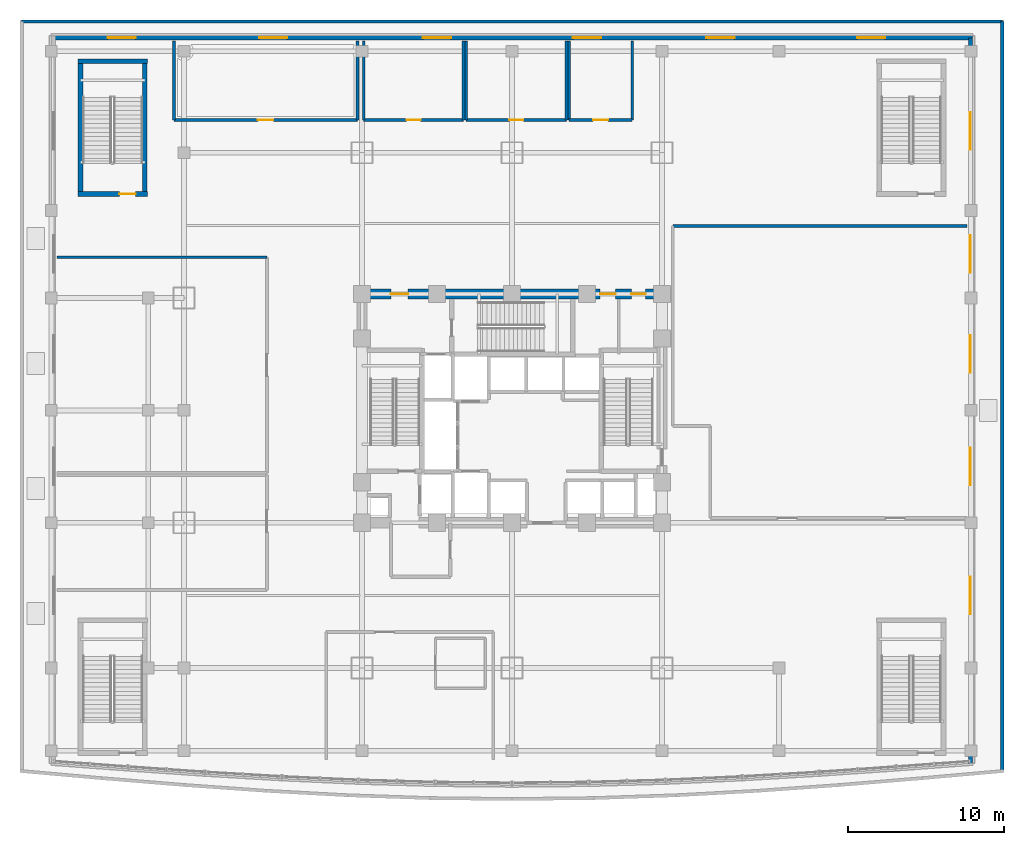
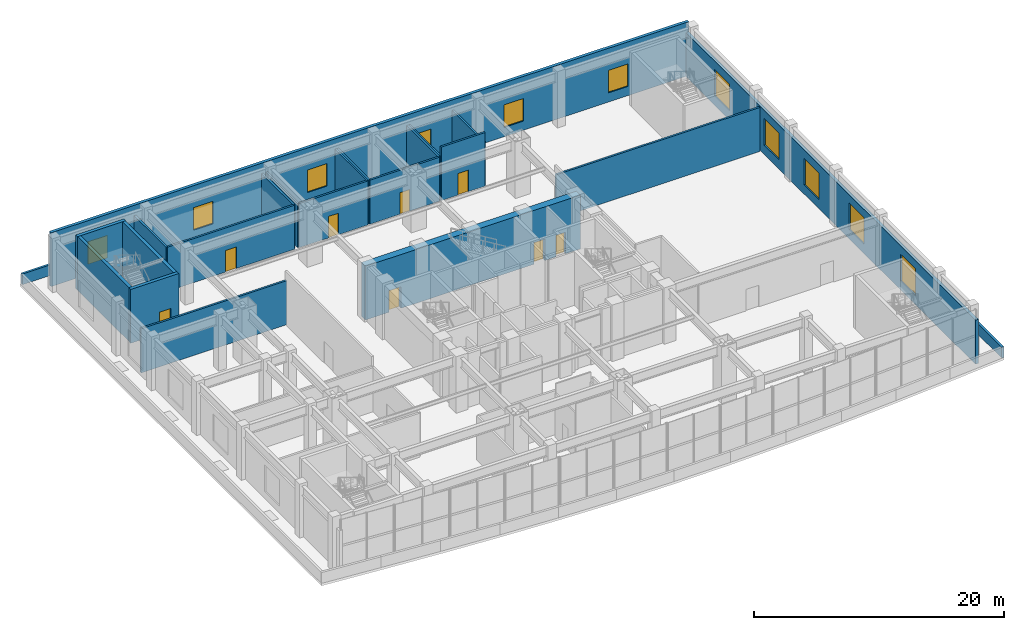
# One storey, part 14 of 24: 23 walls, 11 windows, 8 doors, 19 openings.
"""IFC4 building model written with IfcOpenShell, lengths in metres."""

from ifc_helpers import new_model, si_unit, direction, frame, frame_2d, origin, place, context, subcontext, project, spatial, rectangle, extrude, material, layer, layer_set, type_object, element, fill, save


model = new_model("IFC4")

# Units and contexts
model_context = context("Model", 3, precision=1e-05, world=origin(), true_north=direction((0.0, 1.0)))
body_context = subcontext(model_context, "Body", "Model", "MODEL_VIEW")
ifc_project = project(units=[si_unit("LENGTHUNIT", "METRE"), si_unit("AREAUNIT", "SQUARE_METRE"), si_unit("VOLUMEUNIT", "CUBIC_METRE"), si_unit("PLANEANGLEUNIT", "RADIAN"), si_unit("MASSUNIT", "GRAM", prefix="KILO")], contexts=[model_context])

# Site, building, storey
site_placement = place(None, origin())
site = spatial("IfcSite", under=ifc_project, at=site_placement, CompositionType="ELEMENT")
building_placement = place(site_placement, origin())
building = spatial("IfcBuilding", under=site, at=building_placement, Name="Vantalir Tower", CompositionType="ELEMENT")
storey_placement = place(building_placement, frame((0.0, 0.0, 16.0)))
storey = spatial("IfcBuildingStorey", under=building, at=storey_placement, Name="L03", CompositionType="ELEMENT", Elevation=16.0)

# Wall, openings, doors
ifc_material_1 = material(Name="Concrete C60/75", Category="concrete")
ifc_layer_1 = layer(ifc_material_1, 0.64990234375)
ifc_layer_set_1 = layer_set([ifc_layer_1], Name="Concrete C60/75")
wall_type_1 = type_object("IfcWallType", Name="WL-CORE-650", PredefinedType="SHEAR", material=ifc_layer_set_1)
wall_1_placement = place(storey_placement, frame((21.574951171875, 32.449951171875, 0.0), z_axis=(0.0, 0.0, 1.0), x_axis=(1.0, 0.0, 0.0)))
wall_1 = element("IfcWall", 1, at=wall_1_placement, inside=storey, type_object=wall_type_1, Name="L03 Core Shear Wall North", PredefinedType="SHEAR", context=body_context, shape_type="SweptSolid", body=[
    extrude(rectangle(XDim=19.85009765625, YDim=0.64990234375, at=frame_2d((9.925048828125, 0.0))), origin(), (0.0, 0.0, 1.0), 5.25),
])
opening_1_placement = place(wall_1_placement, frame((2.175048828125, 0.0, 0.0)))
opening_1 = element("IfcOpeningElement", 2, at=opening_1_placement, cuts=wall_1, Name="Opening D-FFL", PredefinedType="OPENING", context=body_context, shape_type="SweptSolid", body=[
    extrude(rectangle(XDim=1.10009765625, YDim=2.10009765625, at=frame_2d((0.550048828125, 1.050048828125))), frame((0.0, 0.3349609375, 0.0), z_axis=(0.0, -1.0, 0.0), x_axis=(1.0, 0.0, 0.0)), (0.0, 0.0, 1.0), 0.669921875),
])
opening_2_placement = place(wall_1_placement, frame((15.56494140625, 0.0, 0.0)))
opening_2 = element("IfcOpeningElement", 3, at=opening_2_placement, cuts=wall_1, Name="Opening D-GUEST", PredefinedType="OPENING", context=body_context, shape_type="SweptSolid", body=[
    extrude(rectangle(XDim=1.0, YDim=2.10009765625, at=frame_2d((0.5, 1.050048828125))), frame((0.0, 0.3349609375, 0.0), z_axis=(0.0, -1.0, 0.0), x_axis=(1.0, 0.0, 0.0)), (0.0, 0.0, 1.0), 0.669921875),
])
opening_3_placement = place(wall_1_placement, frame((17.574951171875, 0.0, 0.0)))
opening_3 = element("IfcOpeningElement", 4, at=opening_3_placement, cuts=wall_1, Name="Opening D-CR", PredefinedType="OPENING", context=body_context, shape_type="SweptSolid", body=[
    extrude(rectangle(XDim=0.89990234375, YDim=2.10009765625, at=frame_2d((0.449951171875, 1.050048828125))), frame((0.0, 0.3349609375, 0.0), z_axis=(0.0, -1.0, 0.0), x_axis=(1.0, 0.0, 0.0)), (0.0, 0.0, 1.0), 0.669921875),
])
ifc_material_2 = material(Name="Fire-rated steel core service door", Category="steel")
door_type_1 = type_object("IfcDoorType", Name="DR-CORE-SERV-900", OperationType="NOTDEFINED", PredefinedType="DOOR", material=ifc_material_2)
door_1_placement = place(opening_3_placement, frame((0.89990234375, 0.0, 0.0), z_axis=(0.0, 0.0, 1.0), x_axis=(-1.0, 0.0, 0.0)))
door_1 = element("IfcDoor", 5, at=door_1_placement, inside=storey, type_object=door_type_1, Name="L03 Housekeeping and Linen Room Door", OperationType="SINGLE_SWING_RIGHT", OverallHeight=2.10009765625, OverallWidth=0.89990234375, PredefinedType="DOOR", context=body_context, shape_type="SweptSolid", body=[
    extrude(rectangle(XDim=0.89990234375, YDim=2.10009765625, at=frame_2d((0.449951171875, 1.050048828125))), frame((0.0, 0.02490234375, 0.0), z_axis=(0.0, -1.0, 0.0), x_axis=(1.0, 0.0, 0.0)), (0.0, 0.0, 1.0), 0.050048828125),
])
fill(opening_3, door_1)
ifc_material_3 = material(Name="Fire-rated acoustic steel door", Category="steel")
door_type_2 = type_object("IfcDoorType", Name="DR-FIRE-LOBBY-1100", OperationType="NOTDEFINED", PredefinedType="DOOR", material=ifc_material_3)
door_2_placement = place(opening_1_placement, frame((1.10009765625, 0.0, 0.0), z_axis=(0.0, 0.0, 1.0), x_axis=(-1.0, 0.0, 0.0)))
door_2 = element("IfcDoor", 6, at=door_2_placement, inside=storey, type_object=door_type_2, Name="L03 Firefighting Lobby East Access Door", OperationType="SINGLE_SWING_LEFT", OverallHeight=2.10009765625, OverallWidth=1.10009765625, PredefinedType="DOOR", context=body_context, shape_type="SweptSolid", body=[
    extrude(rectangle(XDim=1.10009765625, YDim=2.10009765625, at=frame_2d((0.550048828125, 1.050048828125))), frame((0.0, 0.02490234375, 0.0), z_axis=(0.0, -1.0, 0.0), x_axis=(1.0, 0.0, 0.0)), (0.0, 0.0, 1.0), 0.050048828125),
])
fill(opening_1, door_2)
ifc_material_4 = material(Name="Solid-core teak veneer acoustic fire door", Category="wood")
door_type_3 = type_object("IfcDoorType", Name="DR-GUEST-ENTRY-1000", OperationType="NOTDEFINED", PredefinedType="DOOR", material=ifc_material_4)
door_3_placement = place(opening_2_placement, frame((1.0, 0.0, 0.0), z_axis=(0.0, 0.0, 1.0), x_axis=(-1.0, 0.0, 0.0)))
door_3 = element("IfcDoor", 7, at=door_3_placement, inside=storey, type_object=door_type_3, Name="L03 High-Rise Lift Lobby Door", OperationType="SINGLE_SWING_LEFT", OverallHeight=2.10009765625, OverallWidth=1.0, PredefinedType="DOOR", context=body_context, shape_type="SweptSolid", body=[
    extrude(rectangle(XDim=1.0, YDim=2.10009765625, at=frame_2d((0.5, 1.050048828125))), frame((0.0, 0.02490234375, 0.0), z_axis=(0.0, -1.0, 0.0), x_axis=(1.0, 0.0, 0.0)), (0.0, 0.0, 1.0), 0.050048828125),
])
fill(opening_2, door_3)

# Wall, openings, windows
ifc_material_5 = material(Name="Precast concrete C40/50 with insulated PVDF rainscreen", Category="concrete")
ifc_layer_2 = layer(ifc_material_5, 0.280029296875)
ifc_layer_set_2 = layer_set([ifc_layer_2], Name="Precast concrete C40/50 with insulated PVDF rainscreen")
wall_type_2 = type_object("IfcWallType", Name="WL-EXT-POD-280", PredefinedType="SOLIDWALL", material=ifc_layer_set_2)
wall_2_placement = place(storey_placement, frame((60.860107421875, 2.39990234375, 0.0), z_axis=(0.0, 0.0, 1.0), x_axis=(0.0, 1.0, 0.0)))
wall_2 = element("IfcWall", 8, at=wall_2_placement, inside=storey, type_object=wall_type_2, Name="L03 Podium East Precast Facade Wall", PredefinedType="SOLIDWALL", context=body_context, shape_type="SweptSolid", body=[
    extrude(rectangle(XDim=46.460205078125, YDim=0.280029296875, at=frame_2d((23.22998046875, 0.0))), origin(), (0.0, 0.0, 1.0), 4.304931640625),
])
opening_4_placement = place(wall_2_placement, frame((9.550048828125, 0.0, 0.89990234375)))
opening_4 = element("IfcOpeningElement", 9, at=opening_4_placement, cuts=wall_2, Name="Opening WN-1", PredefinedType="OPENING", context=body_context, shape_type="SweptSolid", body=[
    extrude(rectangle(XDim=2.39990234375, YDim=2.60009765625, at=frame_2d((1.199951171875, 1.300048828125))), frame((0.0, 0.14990234375, 0.0), z_axis=(0.0, -1.0, 0.0), x_axis=(1.0, 0.0, 0.0)), (0.0, 0.0, 1.0), 0.300048828125),
])
opening_5_placement = place(wall_2_placement, frame((17.800048828125, 0.0, 0.89990234375)))
opening_5 = element("IfcOpeningElement", 10, at=opening_5_placement, cuts=wall_2, Name="Opening WN-1", PredefinedType="OPENING", context=body_context, shape_type="SweptSolid", body=[
    extrude(rectangle(XDim=2.39990234375, YDim=2.60009765625, at=frame_2d((1.199951171875, 1.300048828125))), frame((0.0, 0.14990234375, 0.0), z_axis=(0.0, -1.0, 0.0), x_axis=(1.0, 0.0, 0.0)), (0.0, 0.0, 1.0), 0.300048828125),
])
opening_6_placement = place(wall_2_placement, frame((25.0, 0.0, 0.89990234375)))
opening_6 = element("IfcOpeningElement", 11, at=opening_6_placement, cuts=wall_2, Name="Opening WN-1", PredefinedType="OPENING", context=body_context, shape_type="SweptSolid", body=[
    extrude(rectangle(XDim=2.39990234375, YDim=2.60009765625, at=frame_2d((1.199951171875, 1.300048828125))), frame((0.0, 0.14990234375, 0.0), z_axis=(0.0, -1.0, 0.0), x_axis=(1.0, 0.0, 0.0)), (0.0, 0.0, 1.0), 0.300048828125),
])
opening_7_placement = place(wall_2_placement, frame((31.39990234375, 0.0, 0.89990234375)))
opening_7 = element("IfcOpeningElement", 12, at=opening_7_placement, cuts=wall_2, Name="Opening WN-1", PredefinedType="OPENING", context=body_context, shape_type="SweptSolid", body=[
    extrude(rectangle(XDim=2.39990234375, YDim=2.60009765625, at=frame_2d((1.199951171875, 1.300048828125))), frame((0.0, 0.14990234375, 0.0), z_axis=(0.0, -1.0, 0.0), x_axis=(1.0, 0.0, 0.0)), (0.0, 0.0, 1.0), 0.300048828125),
])
opening_8_placement = place(wall_2_placement, frame((39.300048828125, 0.0, 0.89990234375)))
opening_8 = element("IfcOpeningElement", 13, at=opening_8_placement, cuts=wall_2, Name="Opening WN-1", PredefinedType="OPENING", context=body_context, shape_type="SweptSolid", body=[
    extrude(rectangle(XDim=2.39990234375, YDim=2.60009765625, at=frame_2d((1.199951171875, 1.300048828125))), frame((0.0, 0.14990234375, 0.0), z_axis=(0.0, -1.0, 0.0), x_axis=(1.0, 0.0, 0.0)), (0.0, 0.0, 1.0), 0.300048828125),
])
ifc_material_6 = material(Name="Double-silver Low-E thermally broken window", Category="glass")
window_type_1 = type_object("IfcWindowType", Name="WIN-POD-2400x2600", PartitioningType="SINGLE_PANEL", PredefinedType="WINDOW", material=ifc_material_6)
window_1_placement = place(opening_4_placement, origin())
window_1 = element("IfcWindow", 14, at=window_1_placement, inside=storey, type_object=window_type_1, Name="L03 East Podium Window E01", OverallHeight=2.60009765625, OverallWidth=2.39990234375, PartitioningType="SINGLE_PANEL", PredefinedType="WINDOW", context=body_context, shape_type="SweptSolid", body=[
    extrude(rectangle(XDim=2.39990234375, YDim=2.60009765625, at=frame_2d((1.199951171875, 1.300048828125))), frame((0.0, 0.030029296875, 0.0), z_axis=(0.0, -1.0, 0.0), x_axis=(1.0, 0.0, 0.0)), (0.0, 0.0, 1.0), 0.06005859375),
])
fill(opening_4, window_1)
window_2_placement = place(opening_5_placement, origin())
window_2 = element("IfcWindow", 15, at=window_2_placement, inside=storey, type_object=window_type_1, Name="L03 East Podium Window E02", OverallHeight=2.60009765625, OverallWidth=2.39990234375, PartitioningType="SINGLE_PANEL", PredefinedType="WINDOW", context=body_context, shape_type="SweptSolid", body=[
    extrude(rectangle(XDim=2.39990234375, YDim=2.60009765625, at=frame_2d((1.199951171875, 1.300048828125))), frame((0.0, 0.030029296875, 0.0), z_axis=(0.0, -1.0, 0.0), x_axis=(1.0, 0.0, 0.0)), (0.0, 0.0, 1.0), 0.06005859375),
])
fill(opening_5, window_2)
window_3_placement = place(opening_6_placement, origin())
window_3 = element("IfcWindow", 16, at=window_3_placement, inside=storey, type_object=window_type_1, Name="L03 East Podium Window E03", OverallHeight=2.60009765625, OverallWidth=2.39990234375, PartitioningType="SINGLE_PANEL", PredefinedType="WINDOW", context=body_context, shape_type="SweptSolid", body=[
    extrude(rectangle(XDim=2.39990234375, YDim=2.60009765625, at=frame_2d((1.199951171875, 1.300048828125))), frame((0.0, 0.030029296875, 0.0), z_axis=(0.0, -1.0, 0.0), x_axis=(1.0, 0.0, 0.0)), (0.0, 0.0, 1.0), 0.06005859375),
])
fill(opening_6, window_3)
window_4_placement = place(opening_7_placement, origin())
window_4 = element("IfcWindow", 17, at=window_4_placement, inside=storey, type_object=window_type_1, Name="L03 East Podium Window E04", OverallHeight=2.60009765625, OverallWidth=2.39990234375, PartitioningType="SINGLE_PANEL", PredefinedType="WINDOW", context=body_context, shape_type="SweptSolid", body=[
    extrude(rectangle(XDim=2.39990234375, YDim=2.60009765625, at=frame_2d((1.199951171875, 1.300048828125))), frame((0.0, 0.030029296875, 0.0), z_axis=(0.0, -1.0, 0.0), x_axis=(1.0, 0.0, 0.0)), (0.0, 0.0, 1.0), 0.06005859375),
])
fill(opening_7, window_4)
window_5_placement = place(opening_8_placement, origin())
window_5 = element("IfcWindow", 18, at=window_5_placement, inside=storey, type_object=window_type_1, Name="L03 East Podium Window E05", OverallHeight=2.60009765625, OverallWidth=2.39990234375, PartitioningType="SINGLE_PANEL", PredefinedType="WINDOW", context=body_context, shape_type="SweptSolid", body=[
    extrude(rectangle(XDim=2.39990234375, YDim=2.60009765625, at=frame_2d((1.199951171875, 1.300048828125))), frame((0.0, 0.030029296875, 0.0), z_axis=(0.0, -1.0, 0.0), x_axis=(1.0, 0.0, 0.0)), (0.0, 0.0, 1.0), 0.06005859375),
])
fill(opening_8, window_5)

wall_3_placement = place(storey_placement, frame((61.0, 48.860107421875, 0.0), z_axis=(0.0, 0.0, 1.0), x_axis=(-1.0, 0.0, 0.0)))
wall_3 = element("IfcWall", 19, at=wall_3_placement, inside=storey, type_object=wall_type_2, Name="L03 Podium North Street Facade Wall", PredefinedType="SOLIDWALL", context=body_context, shape_type="SweptSolid", body=[
    extrude(rectangle(XDim=58.860107421875, YDim=0.280029296875, at=frame_2d((29.43017578125, 0.0))), origin(), (0.0, 0.0, 1.0), 5.25),
])
opening_9_placement = place(wall_3_placement, frame((53.60009765625, 0.0, 0.89990234375)))
opening_9 = element("IfcOpeningElement", 20, at=opening_9_placement, cuts=wall_3, Name="Opening WN-2", PredefinedType="OPENING", context=body_context, shape_type="SweptSolid", body=[
    extrude(rectangle(XDim=1.800048828125, YDim=2.199951171875, at=frame_2d((0.89990234375, 1.10009765625))), frame((0.0, 0.14990234375, 0.0), z_axis=(0.0, -1.0, 0.0), x_axis=(1.0, 0.0, 0.0)), (0.0, 0.0, 1.0), 0.300048828125),
])
opening_10_placement = place(wall_3_placement, frame((43.89990234375, 0.0, 0.89990234375)))
opening_10 = element("IfcOpeningElement", 21, at=opening_10_placement, cuts=wall_3, Name="Opening WN-2", PredefinedType="OPENING", context=body_context, shape_type="SweptSolid", body=[
    extrude(rectangle(XDim=1.800048828125, YDim=2.199951171875, at=frame_2d((0.89990234375, 1.10009765625))), frame((0.0, 0.14990234375, 0.0), z_axis=(0.0, -1.0, 0.0), x_axis=(1.0, 0.0, 0.0)), (0.0, 0.0, 1.0), 0.300048828125),
])
opening_11_placement = place(wall_3_placement, frame((33.39990234375, 0.0, 0.89990234375)))
opening_11 = element("IfcOpeningElement", 22, at=opening_11_placement, cuts=wall_3, Name="Opening WN-2", PredefinedType="OPENING", context=body_context, shape_type="SweptSolid", body=[
    extrude(rectangle(XDim=1.800048828125, YDim=2.199951171875, at=frame_2d((0.89990234375, 1.10009765625))), frame((0.0, 0.14990234375, 0.0), z_axis=(0.0, -1.0, 0.0), x_axis=(1.0, 0.0, 0.0)), (0.0, 0.0, 1.0), 0.300048828125),
])
opening_12_placement = place(wall_3_placement, frame((23.800048828125, 0.0, 0.89990234375)))
opening_12 = element("IfcOpeningElement", 23, at=opening_12_placement, cuts=wall_3, Name="Opening WN-2", PredefinedType="OPENING", context=body_context, shape_type="SweptSolid", body=[
    extrude(rectangle(XDim=1.800048828125, YDim=2.199951171875, at=frame_2d((0.89990234375, 1.10009765625))), frame((0.0, 0.14990234375, 0.0), z_axis=(0.0, -1.0, 0.0), x_axis=(1.0, 0.0, 0.0)), (0.0, 0.0, 1.0), 0.300048828125),
])
opening_13_placement = place(wall_3_placement, frame((15.25, 0.0, 0.89990234375)))
opening_13 = element("IfcOpeningElement", 24, at=opening_13_placement, cuts=wall_3, Name="Opening WN-2", PredefinedType="OPENING", context=body_context, shape_type="SweptSolid", body=[
    extrude(rectangle(XDim=1.800048828125, YDim=2.199951171875, at=frame_2d((0.89990234375, 1.10009765625))), frame((0.0, 0.14990234375, 0.0), z_axis=(0.0, -1.0, 0.0), x_axis=(1.0, 0.0, 0.0)), (0.0, 0.0, 1.0), 0.300048828125),
])
opening_14_placement = place(wall_3_placement, frame((5.60009765625, 0.0, 0.89990234375)))
opening_14 = element("IfcOpeningElement", 25, at=opening_14_placement, cuts=wall_3, Name="Opening WN-2", PredefinedType="OPENING", context=body_context, shape_type="SweptSolid", body=[
    extrude(rectangle(XDim=1.800048828125, YDim=2.199951171875, at=frame_2d((0.89990234375, 1.10009765625))), frame((0.0, 0.14990234375, 0.0), z_axis=(0.0, -1.0, 0.0), x_axis=(1.0, 0.0, 0.0)), (0.0, 0.0, 1.0), 0.300048828125),
])
window_type_2 = type_object("IfcWindowType", Name="WIN-POD-1800x2200", PartitioningType="SINGLE_PANEL", PredefinedType="WINDOW", material=ifc_material_6)
window_6_placement = place(opening_9_placement, origin())
window_6 = element("IfcWindow", 26, at=window_6_placement, inside=storey, type_object=window_type_2, Name="L03 North Podium Window N01", OverallHeight=2.199951171875, OverallWidth=1.800048828125, PartitioningType="SINGLE_PANEL", PredefinedType="WINDOW", context=body_context, shape_type="SweptSolid", body=[
    extrude(rectangle(XDim=1.800048828125, YDim=2.199951171875, at=frame_2d((0.89990234375, 1.10009765625))), frame((0.0, 0.030029296875, 0.0), z_axis=(0.0, -1.0, 0.0), x_axis=(1.0, 0.0, 0.0)), (0.0, 0.0, 1.0), 0.06005859375),
])
fill(opening_9, window_6)
window_7_placement = place(opening_10_placement, origin())
window_7 = element("IfcWindow", 27, at=window_7_placement, inside=storey, type_object=window_type_2, Name="L03 North Podium Window N02", OverallHeight=2.199951171875, OverallWidth=1.800048828125, PartitioningType="SINGLE_PANEL", PredefinedType="WINDOW", context=body_context, shape_type="SweptSolid", body=[
    extrude(rectangle(XDim=1.800048828125, YDim=2.199951171875, at=frame_2d((0.89990234375, 1.10009765625))), frame((0.0, 0.030029296875, 0.0), z_axis=(0.0, -1.0, 0.0), x_axis=(1.0, 0.0, 0.0)), (0.0, 0.0, 1.0), 0.06005859375),
])
fill(opening_10, window_7)
window_8_placement = place(opening_11_placement, origin())
window_8 = element("IfcWindow", 28, at=window_8_placement, inside=storey, type_object=window_type_2, Name="L03 North Podium Window N03", OverallHeight=2.199951171875, OverallWidth=1.800048828125, PartitioningType="SINGLE_PANEL", PredefinedType="WINDOW", context=body_context, shape_type="SweptSolid", body=[
    extrude(rectangle(XDim=1.800048828125, YDim=2.199951171875, at=frame_2d((0.89990234375, 1.10009765625))), frame((0.0, 0.030029296875, 0.0), z_axis=(0.0, -1.0, 0.0), x_axis=(1.0, 0.0, 0.0)), (0.0, 0.0, 1.0), 0.06005859375),
])
fill(opening_11, window_8)
window_9_placement = place(opening_12_placement, origin())
window_9 = element("IfcWindow", 29, at=window_9_placement, inside=storey, type_object=window_type_2, Name="L03 North Podium Window N04", OverallHeight=2.199951171875, OverallWidth=1.800048828125, PartitioningType="SINGLE_PANEL", PredefinedType="WINDOW", context=body_context, shape_type="SweptSolid", body=[
    extrude(rectangle(XDim=1.800048828125, YDim=2.199951171875, at=frame_2d((0.89990234375, 1.10009765625))), frame((0.0, 0.030029296875, 0.0), z_axis=(0.0, -1.0, 0.0), x_axis=(1.0, 0.0, 0.0)), (0.0, 0.0, 1.0), 0.06005859375),
])
fill(opening_12, window_9)
window_10_placement = place(opening_13_placement, origin())
window_10 = element("IfcWindow", 30, at=window_10_placement, inside=storey, type_object=window_type_2, Name="L03 North Podium Window N05", OverallHeight=2.199951171875, OverallWidth=1.800048828125, PartitioningType="SINGLE_PANEL", PredefinedType="WINDOW", context=body_context, shape_type="SweptSolid", body=[
    extrude(rectangle(XDim=1.800048828125, YDim=2.199951171875, at=frame_2d((0.89990234375, 1.10009765625))), frame((0.0, 0.030029296875, 0.0), z_axis=(0.0, -1.0, 0.0), x_axis=(1.0, 0.0, 0.0)), (0.0, 0.0, 1.0), 0.06005859375),
])
fill(opening_13, window_10)
window_11_placement = place(opening_14_placement, origin())
window_11 = element("IfcWindow", 31, at=window_11_placement, inside=storey, type_object=window_type_2, Name="L03 North Podium Window N06", OverallHeight=2.199951171875, OverallWidth=1.800048828125, PartitioningType="SINGLE_PANEL", PredefinedType="WINDOW", context=body_context, shape_type="SweptSolid", body=[
    extrude(rectangle(XDim=1.800048828125, YDim=2.199951171875, at=frame_2d((0.89990234375, 1.10009765625))), frame((0.0, 0.030029296875, 0.0), z_axis=(0.0, -1.0, 0.0), x_axis=(1.0, 0.0, 0.0)), (0.0, 0.0, 1.0), 0.06005859375),
])
fill(opening_14, window_11)

# Walls
ifc_material_7 = material(Name="Twin-stud acoustic fire-rated gypsum partition", Category="gypsum")
ifc_layer_3 = layer(ifc_material_7, 0.179931640625)
ifc_layer_set_3 = layer_set([ifc_layer_3], Name="Twin-stud acoustic fire-rated gypsum partition")
wall_type_3 = type_object("IfcWallType", Name="WL-GUEST-180", PredefinedType="PARTITIONING", material=ifc_layer_set_3)
wall_4_placement = place(storey_placement, frame((41.800048828125, 36.800048828125, 0.0), z_axis=(0.0, 0.0, 1.0), x_axis=(1.0, 0.0, 0.0)))
element("IfcWall", 32, at=wall_4_placement, inside=storey, type_object=wall_type_3, Name="L03 Grand Ballroom North Wall", PredefinedType="PARTITIONING", context=body_context, shape_type="SweptSolid", body=[
    extrude(rectangle(XDim=18.849853515625, YDim=0.179931640625, at=frame_2d((9.4248046875, 0.0))), origin(), (0.0, 0.0, 1.0), 4.298095703125),
])
wall_5_placement = place(storey_placement, frame((2.35009765625, 34.800048828125, 0.0), z_axis=(0.0, 0.0, 1.0), x_axis=(1.0, 0.0, 0.0)))
element("IfcWall", 33, at=wall_5_placement, inside=storey, type_object=wall_type_3, Name="L03 Commercial Banquet Production Kitchen North Wall", PredefinedType="PARTITIONING", context=body_context, shape_type="SweptSolid", body=[
    extrude(rectangle(XDim=13.449951171875, YDim=0.179931640625, at=frame_2d((6.72509765625, 0.0))), origin(), (0.0, 0.0, 1.0), 4.298095703125),
])

# Wall, opening, door
wall_6_placement = place(storey_placement, frame((9.85009765625, 43.60009765625, 0.0), z_axis=(0.0, 0.0, 1.0), x_axis=(1.0, 0.0, 0.0)))
wall_6 = element("IfcWall", 34, at=wall_6_placement, inside=storey, type_object=wall_type_3, Name="L03 Ballroom Audio-Visual Administration Office South Wall", PredefinedType="PARTITIONING", context=body_context, shape_type="SweptSolid", body=[
    extrude(rectangle(XDim=11.75, YDim=0.179931640625, at=frame_2d((5.875, 0.0))), origin(), (0.0, 0.0, 1.0), 4.298095703125),
])
opening_15_placement = place(wall_6_placement, frame((5.375, 0.0, 0.0)))
opening_15 = element("IfcOpeningElement", 35, at=opening_15_placement, cuts=wall_6, Name="Opening D-GUEST", PredefinedType="OPENING", context=body_context, shape_type="SweptSolid", body=[
    extrude(rectangle(XDim=1.0, YDim=2.10009765625, at=frame_2d((0.5, 1.050048828125))), frame((0.0, 0.099853515625, 0.0), z_axis=(0.0, -1.0, 0.0), x_axis=(1.0, 0.0, 0.0)), (0.0, 0.0, 1.0), 0.199951171875),
])
door_4_placement = place(opening_15_placement, origin())
door_4 = element("IfcDoor", 36, at=door_4_placement, inside=storey, type_object=door_type_3, Name="L03 Ballroom Audio-Visual Administration Office Door", OperationType="SINGLE_SWING_LEFT", OverallHeight=2.10009765625, OverallWidth=1.0, PredefinedType="DOOR", context=body_context, shape_type="SweptSolid", body=[
    extrude(rectangle(XDim=1.0, YDim=2.10009765625, at=frame_2d((0.5, 1.050048828125))), frame((0.0, 0.02490234375, 0.0), z_axis=(0.0, -1.0, 0.0), x_axis=(1.0, 0.0, 0.0)), (0.0, 0.0, 1.0), 0.050048828125),
])
fill(opening_15, door_4)

# Walls
for number, where, z_axis, x_axis, name in (
    (37, (9.85009765625, 43.60009765625, 0.0), (0.0, 0.0, 1.0), (0.0, 1.0, 0.0), "L03 Ballroom Audio-Visual Administration Office West Wall"),
    (38, (21.60009765625, 43.60009765625, 0.0), (0.0, 0.0, 1.0), (0.0, 1.0, 0.0), "L03 Ballroom Audio-Visual Administration Office East Wall"),
):
    element("IfcWall", number, at=place(storey_placement, frame(where, z_axis=z_axis, x_axis=x_axis)), inside=storey, type_object=wall_type_3, Name=name, PredefinedType="PARTITIONING", context=body_context, shape_type="SweptSolid", body=[
        extrude(rectangle(XDim=5.0498046875, YDim=0.179931640625, at=frame_2d((2.52490234375, 0.0))), origin(), (0.0, 0.0, 1.0), 4.298095703125),
    ])

# Wall, opening, door
wall_7_placement = place(storey_placement, frame((22.0, 43.60009765625, 0.0), z_axis=(0.0, 0.0, 1.0), x_axis=(1.0, 0.0, 0.0)))
wall_7 = element("IfcWall", 39, at=wall_7_placement, inside=storey, type_object=wall_type_3, Name="L03 Public Male WC South Wall", PredefinedType="PARTITIONING", context=body_context, shape_type="SweptSolid", body=[
    extrude(rectangle(XDim=6.39990234375, YDim=0.179931640625, at=frame_2d((3.199951171875, 0.0))), origin(), (0.0, 0.0, 1.0), 4.298095703125),
])
opening_16_placement = place(wall_7_placement, frame((2.75, 0.0, 0.0)))
opening_16 = element("IfcOpeningElement", 40, at=opening_16_placement, cuts=wall_7, Name="Opening D-WC", PredefinedType="OPENING", context=body_context, shape_type="SweptSolid", body=[
    extrude(rectangle(XDim=0.89990234375, YDim=2.10009765625, at=frame_2d((0.449951171875, 1.050048828125))), frame((0.0, 0.099853515625, 0.0), z_axis=(0.0, -1.0, 0.0), x_axis=(1.0, 0.0, 0.0)), (0.0, 0.0, 1.0), 0.199951171875),
])
ifc_material_8 = material(Name="Moisture-resistant hardwood door", Category="wood")
door_type_4 = type_object("IfcDoorType", Name="DR-ENSUITE-900", OperationType="NOTDEFINED", PredefinedType="DOOR", material=ifc_material_8)
door_5_placement = place(opening_16_placement, origin())
door_5 = element("IfcDoor", 41, at=door_5_placement, inside=storey, type_object=door_type_4, Name="L03 Public Male WC Door", OperationType="SINGLE_SWING_LEFT", OverallHeight=2.10009765625, OverallWidth=0.89990234375, PredefinedType="DOOR", context=body_context, shape_type="SweptSolid", body=[
    extrude(rectangle(XDim=0.89990234375, YDim=2.10009765625, at=frame_2d((0.449951171875, 1.050048828125))), frame((0.0, 0.02490234375, 0.0), z_axis=(0.0, -1.0, 0.0), x_axis=(1.0, 0.0, 0.0)), (0.0, 0.0, 1.0), 0.050048828125),
])
fill(opening_16, door_5)

# Walls
for number, where, z_axis, x_axis, name in (
    (42, (22.0, 43.60009765625, 0.0), (0.0, 0.0, 1.0), (0.0, 1.0, 0.0), "L03 Public Male WC West Wall"),
    (43, (28.39990234375, 43.60009765625, 0.0), (0.0, 0.0, 1.0), (0.0, 1.0, 0.0), "L03 Public Male WC East Wall"),
):
    element("IfcWall", number, at=place(storey_placement, frame(where, z_axis=z_axis, x_axis=x_axis)), inside=storey, type_object=wall_type_3, Name=name, PredefinedType="PARTITIONING", context=body_context, shape_type="SweptSolid", body=[
        extrude(rectangle(XDim=5.0498046875, YDim=0.179931640625, at=frame_2d((2.52490234375, 0.0))), origin(), (0.0, 0.0, 1.0), 4.298095703125),
    ])

# Wall, opening, door
wall_8_placement = place(storey_placement, frame((28.550048828125, 43.60009765625, 0.0), z_axis=(0.0, 0.0, 1.0), x_axis=(1.0, 0.0, 0.0)))
wall_8 = element("IfcWall", 44, at=wall_8_placement, inside=storey, type_object=wall_type_3, Name="L03 Public Female WC South Wall", PredefinedType="PARTITIONING", context=body_context, shape_type="SweptSolid", body=[
    extrude(rectangle(XDim=6.449951171875, YDim=0.179931640625, at=frame_2d((3.22509765625, 0.0))), origin(), (0.0, 0.0, 1.0), 4.298095703125),
])
opening_17_placement = place(wall_8_placement, frame((2.77490234375, 0.0, 0.0)))
opening_17 = element("IfcOpeningElement", 45, at=opening_17_placement, cuts=wall_8, Name="Opening D-WC", PredefinedType="OPENING", context=body_context, shape_type="SweptSolid", body=[
    extrude(rectangle(XDim=0.89990234375, YDim=2.10009765625, at=frame_2d((0.449951171875, 1.050048828125))), frame((0.0, 0.099853515625, 0.0), z_axis=(0.0, -1.0, 0.0), x_axis=(1.0, 0.0, 0.0)), (0.0, 0.0, 1.0), 0.199951171875),
])
door_6_placement = place(opening_17_placement, origin())
door_6 = element("IfcDoor", 46, at=door_6_placement, inside=storey, type_object=door_type_4, Name="L03 Public Female WC Door", OperationType="SINGLE_SWING_RIGHT", OverallHeight=2.10009765625, OverallWidth=0.89990234375, PredefinedType="DOOR", context=body_context, shape_type="SweptSolid", body=[
    extrude(rectangle(XDim=0.89990234375, YDim=2.10009765625, at=frame_2d((0.449951171875, 1.050048828125))), frame((0.0, 0.02490234375, 0.0), z_axis=(0.0, -1.0, 0.0), x_axis=(1.0, 0.0, 0.0)), (0.0, 0.0, 1.0), 0.050048828125),
])
fill(opening_17, door_6)

# Walls
for number, where, z_axis, x_axis, name in (
    (47, (28.550048828125, 43.60009765625, 0.0), (0.0, 0.0, 1.0), (0.0, 1.0, 0.0), "L03 Public Female WC West Wall"),
    (48, (35.0, 43.60009765625, 0.0), (0.0, 0.0, 1.0), (0.0, 1.0, 0.0), "L03 Public Female WC East Wall"),
):
    element("IfcWall", number, at=place(storey_placement, frame(where, z_axis=z_axis, x_axis=x_axis)), inside=storey, type_object=wall_type_3, Name=name, PredefinedType="PARTITIONING", context=body_context, shape_type="SweptSolid", body=[
        extrude(rectangle(XDim=5.0498046875, YDim=0.179931640625, at=frame_2d((2.52490234375, 0.0))), origin(), (0.0, 0.0, 1.0), 4.298095703125),
    ])

# Wall, opening, door
wall_9_placement = place(storey_placement, frame((35.14990234375, 43.60009765625, 0.0), z_axis=(0.0, 0.0, 1.0), x_axis=(1.0, 0.0, 0.0)))
wall_9 = element("IfcWall", 49, at=wall_9_placement, inside=storey, type_object=wall_type_3, Name="L03 Accessible WC South Wall", PredefinedType="PARTITIONING", context=body_context, shape_type="SweptSolid", body=[
    extrude(rectangle(XDim=4.050048828125, YDim=0.179931640625, at=frame_2d((2.02490234375, 0.0))), origin(), (0.0, 0.0, 1.0), 5.22998046875),
])
opening_18_placement = place(wall_9_placement, frame((1.550048828125, 0.0, 0.0)))
opening_18 = element("IfcOpeningElement", 50, at=opening_18_placement, cuts=wall_9, Name="Opening D-AWC", PredefinedType="OPENING", context=body_context, shape_type="SweptSolid", body=[
    extrude(rectangle(XDim=0.949951171875, YDim=2.10009765625, at=frame_2d((0.47509765625, 1.050048828125))), frame((0.0, 0.099853515625, 0.0), z_axis=(0.0, -1.0, 0.0), x_axis=(1.0, 0.0, 0.0)), (0.0, 0.0, 1.0), 0.199951171875),
])
ifc_material_9 = material(Name="Accessible toilet outward-opening hardwood door", Category="wood")
door_type_5 = type_object("IfcDoorType", Name="DR-ACC-WC-950", OperationType="NOTDEFINED", PredefinedType="DOOR", material=ifc_material_9)
door_7_placement = place(opening_18_placement, frame((0.949951171875, 0.0, 0.0), z_axis=(0.0, 0.0, 1.0), x_axis=(-1.0, 0.0, 0.0)))
door_7 = element("IfcDoor", 51, at=door_7_placement, inside=storey, type_object=door_type_5, Name="L03 Accessible WC Door", OperationType="SINGLE_SWING_LEFT", OverallHeight=2.10009765625, OverallWidth=0.949951171875, PredefinedType="DOOR", context=body_context, shape_type="SweptSolid", body=[
    extrude(rectangle(XDim=0.949951171875, YDim=2.10009765625, at=frame_2d((0.47509765625, 1.050048828125))), frame((0.0, 0.02490234375, 0.0), z_axis=(0.0, -1.0, 0.0), x_axis=(1.0, 0.0, 0.0)), (0.0, 0.0, 1.0), 0.050048828125),
])
fill(opening_18, door_7)

# Walls
for number, where, z_axis, x_axis, name in (
    (52, (35.14990234375, 43.60009765625, 0.0), (0.0, 0.0, 1.0), (0.0, 1.0, 0.0), "L03 Accessible WC West Wall"),
    (53, (39.199951171875, 43.60009765625, 0.0), (0.0, 0.0, 1.0), (0.0, 1.0, 0.0), "L03 Accessible WC East Wall"),
):
    element("IfcWall", number, at=place(storey_placement, frame(where, z_axis=z_axis, x_axis=x_axis)), inside=storey, type_object=wall_type_3, Name=name, PredefinedType="PARTITIONING", context=body_context, shape_type="SweptSolid", body=[
        extrude(rectangle(XDim=5.0498046875, YDim=0.179931640625, at=frame_2d((2.52490234375, 0.0))), origin(), (0.0, 0.0, 1.0), 4.298095703125),
    ])
ifc_material_10 = material(Name="Concrete C40/50 parapet upstand", Category="concrete")
ifc_layer_4 = layer(ifc_material_10, 0.199951171875)
ifc_layer_set_4 = layer_set([ifc_layer_4], Name="Concrete C40/50 parapet upstand")
wall_type_4 = type_object("IfcWallType", Name="WL-PARA-200", PredefinedType="PARAPET", material=ifc_layer_set_4)
wall_10_placement = place(storey_placement, frame((62.89990234375, 1.800048828125, 0.239990234375), z_axis=(0.0, 0.0, 1.0), x_axis=(0.0, 1.0, 0.0)))
element("IfcWall", 54, at=wall_10_placement, inside=storey, type_object=wall_type_4, Name="L03 Setback Maintenance Parapet East", PredefinedType="PARAPET", context=body_context, shape_type="SweptSolid", body=[
    extrude(rectangle(XDim=48.099853515625, YDim=0.199951171875, at=frame_2d((24.0498046875, 0.0))), origin(), (0.0, 0.0, 1.0), 1.050048828125),
])
wall_11_placement = place(storey_placement, frame((62.89990234375, 49.89990234375, 0.239990234375), z_axis=(0.0, 0.0, 1.0), x_axis=(-1.0, 0.0, 0.0)))
element("IfcWall", 55, at=wall_11_placement, inside=storey, type_object=wall_type_4, Name="L03 Setback Maintenance Parapet North", PredefinedType="PARAPET", context=body_context, shape_type="SweptSolid", body=[
    extrude(rectangle(XDim=62.7998046875, YDim=0.199951171875, at=frame_2d((31.39990234375, 0.0))), origin(), (0.0, 0.0, 1.0), 1.050048828125),
])

# Wall, opening, door
ifc_material_11 = material(Name="Concrete C50/60", Category="concrete")
ifc_layer_5 = layer(ifc_material_11, 0.300048828125)
ifc_layer_set_5 = layer_set([ifc_layer_5], Name="Concrete C50/60")
wall_type_5 = type_object("IfcWallType", Name="WL-STAIR-300", PredefinedType="SHEAR", material=ifc_layer_set_5)
wall_12_placement = place(storey_placement, frame((3.699951171875, 38.860107421875, 0.0), z_axis=(0.0, 0.0, 1.0), x_axis=(1.0, 0.0, 0.0)))
wall_12 = element("IfcWall", 56, at=wall_12_placement, inside=storey, type_object=wall_type_5, Name="L03 PST1 South Wall", PredefinedType="SHEAR", context=body_context, shape_type="SweptSolid", body=[
    extrude(rectangle(XDim=4.449951171875, YDim=0.300048828125, at=frame_2d((2.22509765625, 0.0))), origin(), (0.0, 0.0, 1.0), 5.25),
])
opening_19_placement = place(wall_12_placement, frame((2.64990234375, 0.0, 0.0)))
opening_19 = element("IfcOpeningElement", 57, at=opening_19_placement, cuts=wall_12, Name="Opening D-ST", PredefinedType="OPENING", context=body_context, shape_type="SweptSolid", body=[
    extrude(rectangle(XDim=1.050048828125, YDim=2.10009765625, at=frame_2d((0.52490234375, 1.050048828125))), frame((0.0, 0.159912109375, 0.0), z_axis=(0.0, -1.0, 0.0), x_axis=(1.0, 0.0, 0.0)), (0.0, 0.0, 1.0), 0.320068359375),
])
ifc_material_12 = material(Name="Fire-rated steel door leaf", Category="steel")
door_type_6 = type_object("IfcDoorType", Name="DR-FIRE-STAIR-1050", OperationType="NOTDEFINED", PredefinedType="DOOR", material=ifc_material_12)
door_8_placement = place(opening_19_placement, origin())
door_8 = element("IfcDoor", 58, at=door_8_placement, inside=storey, type_object=door_type_6, Name="L03 Podium Stair PST1 Fire Door", OperationType="SINGLE_SWING_LEFT", OverallHeight=2.10009765625, OverallWidth=1.050048828125, PredefinedType="DOOR", context=body_context, shape_type="SweptSolid", body=[
    extrude(rectangle(XDim=1.050048828125, YDim=2.10009765625, at=frame_2d((0.52490234375, 1.050048828125))), frame((0.0, 0.02490234375, 0.0), z_axis=(0.0, -1.0, 0.0), x_axis=(1.0, 0.0, 0.0)), (0.0, 0.0, 1.0), 0.050048828125),
])
fill(opening_19, door_8)

# Walls
wall_13_placement = place(storey_placement, frame((3.699951171875, 47.360107421875, 0.0), z_axis=(0.0, 0.0, 1.0), x_axis=(1.0, 0.0, 0.0)))
element("IfcWall", 59, at=wall_13_placement, inside=storey, type_object=wall_type_5, Name="L03 PST1 North Wall", PredefinedType="SHEAR", context=body_context, shape_type="SweptSolid", body=[
    extrude(rectangle(XDim=4.449951171875, YDim=0.300048828125, at=frame_2d((2.22509765625, 0.0))), origin(), (0.0, 0.0, 1.0), 5.25),
])
for number, where, z_axis, x_axis, name in (
    (60, (3.860107421875, 38.860107421875, 0.0), (0.0, 0.0, 1.0), (0.0, 1.0, 0.0), "L03 PST1 West Wall"),
    (61, (7.989990234375, 38.860107421875, 0.0), (0.0, 0.0, 1.0), (0.0, 1.0, 0.0), "L03 PST1 East Wall"),
):
    element("IfcWall", number, at=place(storey_placement, frame(where, z_axis=z_axis, x_axis=x_axis)), inside=storey, type_object=wall_type_5, Name=name, PredefinedType="SHEAR", context=body_context, shape_type="SweptSolid", body=[
        extrude(rectangle(XDim=8.5, YDim=0.300048828125, at=frame_2d((4.25, 0.0))), origin(), (0.0, 0.0, 1.0), 5.25),
    ])

save(model, "model.ifc")
